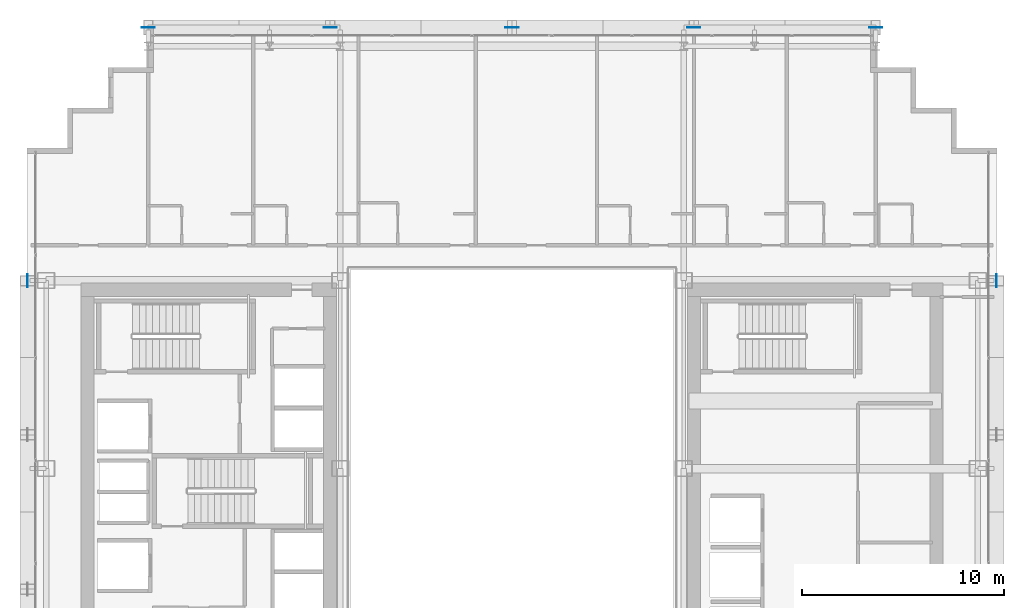
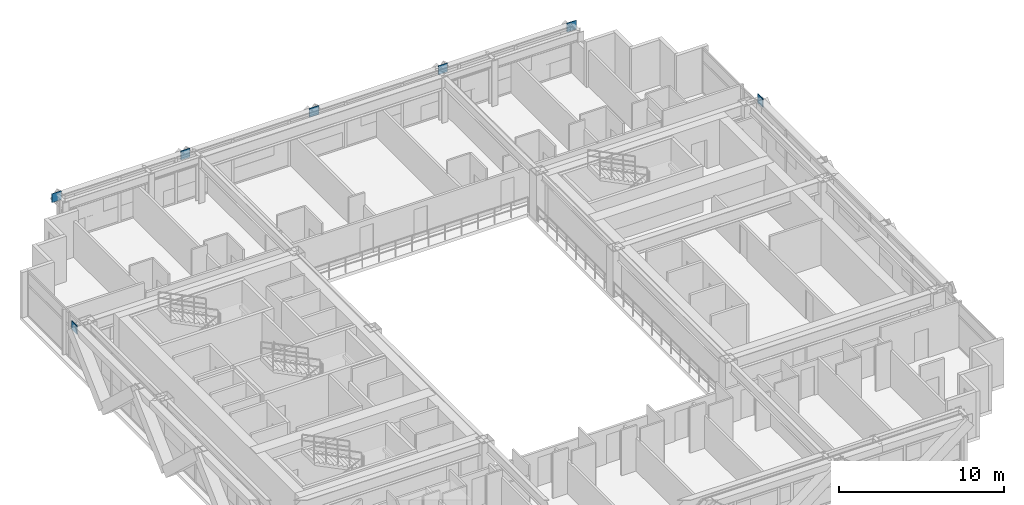
# One storey, part 26 of 35: 7 plates.
"""IFC4 building model written with IfcOpenShell, lengths in metres."""

from ifc_helpers import new_model, si_unit, direction, frame, origin, origin_2d, place, context, subcontext, project, spatial, rectangle, extrude, source, transform, mapped, material, layer, layer_set, type_object, element, save


model = new_model("IFC4")

# Units and contexts
model_context = context("Model", 3, precision=1e-05, world=origin(), true_north=direction((0.0, 1.0)))
body_context = subcontext(model_context, "Body", "Model", "MODEL_VIEW")
ifc_project = project(units=[si_unit("LENGTHUNIT", "METRE"), si_unit("AREAUNIT", "SQUARE_METRE"), si_unit("VOLUMEUNIT", "CUBIC_METRE"), si_unit("PLANEANGLEUNIT", "RADIAN"), si_unit("MASSUNIT", "GRAM", prefix="KILO")], contexts=[model_context])

# Site, building, storey
site_placement = place(None, origin())
site = spatial("IfcSite", under=ifc_project, at=site_placement, CompositionType="ELEMENT")
building_placement = place(site_placement, origin())
building = spatial("IfcBuilding", under=site, at=building_placement, Name="Ocotamira Hotel", CompositionType="ELEMENT")
storey_placement = place(building_placement, frame((0.0, 0.0, 100.800048828125)))
storey = spatial("IfcBuildingStorey", under=building, at=storey_placement, Name="L24", CompositionType="ELEMENT", Elevation=100.800048828125)

# Plates
ifc_material = material(Name="Pale-metal coated steel ASTM A572 Grade 50", Category="steel")
ifc_layer = layer(ifc_material, 0.0400390625)
ifc_layer_set = layer_set([ifc_layer], Name="Pale-metal coated steel ASTM A572 Grade 50")
plate_type = type_object("IfcPlateType", Name="PLT-GUSSET-40", PredefinedType="SHEET", material=ifc_layer_set)
shared_shape_1 = source(origin(), body_context, "Body", "SweptSolid", [
    extrude(rectangle(XDim=0.64990234375, YDim=0.0400390625, at=origin_2d()), origin(), (0.0, 0.0, 1.0), 0.64990234375),
])
for number, where, z_axis, x_axis, name in (
    (1, (14.0, 49.969970703125, 2.784912109375), (0.0, 0.0, 1.0), (-1.0, 0.0, 0.0), "L24 Exoskeleton Diagrid N0.1 End Gusset B"),
    (2, (23.0, 49.969970703125, 2.784912109375), (0.0, 0.0, 1.0), (1.0, 0.0, 0.0), "L24 Exoskeleton Diagrid N0.2 End Gusset B"),
    (3, (32.0, 49.969970703125, 2.784912109375), (0.0, 0.0, 1.0), (1.0, 0.0, 0.0), "L24 Exoskeleton Diagrid N1.2 End Gusset B"),
    (4, (41.0, 49.969970703125, 2.784912109375), (0.0, 0.0, 1.0), (1.0, 0.0, 0.0), "L24 Exoskeleton Diagrid N2.2 End Gusset B"),
    (5, (50.0, 49.969970703125, 2.784912109375), (0.0, 0.0, 1.0), (1.0, 0.0, 0.0), "L24 Exoskeleton Diagrid N3.2 End Gusset B"),
):
    element("IfcPlate", number, at=place(storey_placement, frame(where, z_axis=z_axis, x_axis=x_axis)), inside=storey, type_object=plate_type, Name=name, PredefinedType="SHEET", context=body_context, shape_type="MappedRepresentation", body=[
        mapped(shared_shape_1, transform((0.0, 0.0, 0.0), scale=1.0)),
    ])
shared_shape_2 = source(origin(), body_context, "Body", "SweptSolid", [
    extrude(rectangle(XDim=0.0400390625, YDim=0.64990234375, at=origin_2d()), origin(), (0.0, 0.0, 1.0), 0.64990234375),
])
for number, where, z_axis, x_axis, name in (
    (6, (8.030029296875, 37.449951171875, 2.784912109375), (0.0, 0.0, 1.0), (1.0, 0.0, 0.0), "L24 Exoskeleton Diagrid W2.2 End Gusset B"),
    (7, (55.969970703125, 37.449951171875, 2.784912109375), (0.0, 0.0, 1.0), (1.0, 0.0, 0.0), "L24 Exoskeleton Diagrid E2.2 End Gusset B"),
):
    element("IfcPlate", number, at=place(storey_placement, frame(where, z_axis=z_axis, x_axis=x_axis)), inside=storey, type_object=plate_type, Name=name, PredefinedType="SHEET", context=body_context, shape_type="MappedRepresentation", body=[
        mapped(shared_shape_2, transform((0.0, 0.0, 0.0), scale=1.0)),
    ])

save(model, "model.ifc")
